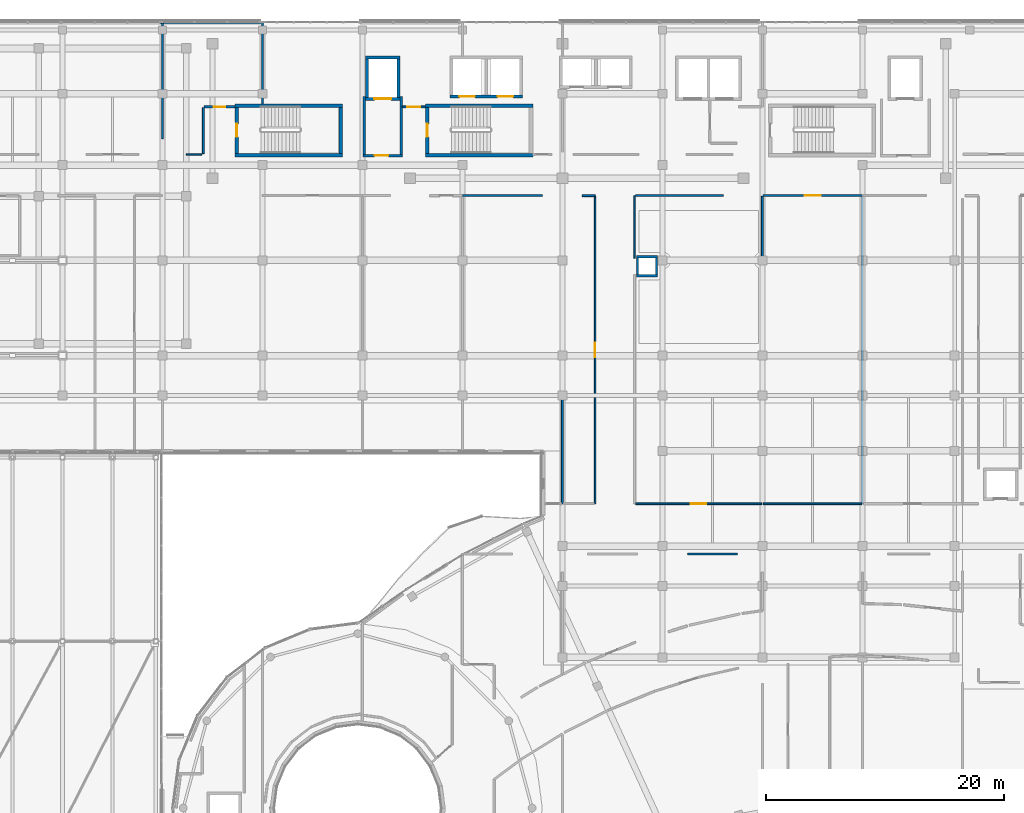
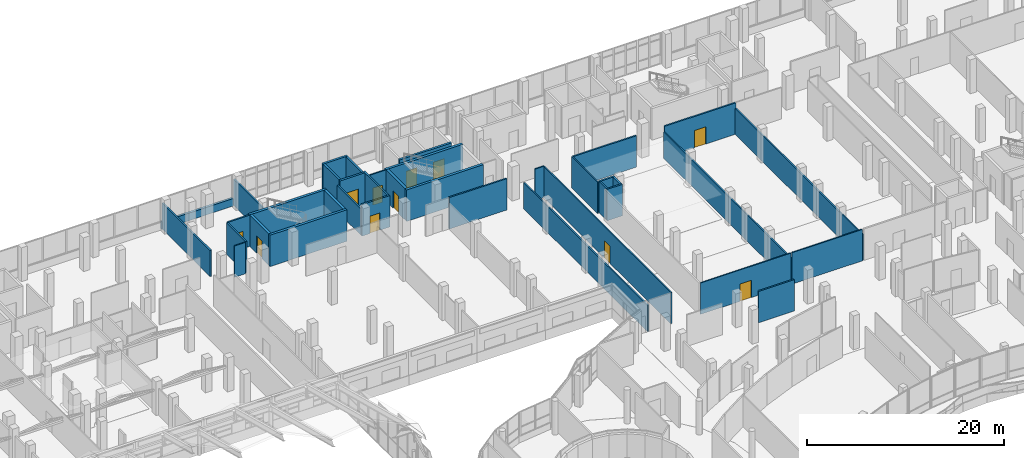
# One storey, part 168 of 184: 38 walls, 11 doors, 11 openings.
"""IFC4 building model written with IfcOpenShell, lengths in metres."""

from ifc_helpers import new_model, si_unit, direction, frame, frame_2d, origin, place, context, subcontext, project, spatial, rectangle, extrude, material, layer, layer_set, type_object, element, fill, save


model = new_model("IFC4")

# Units and contexts
model_context = context("Model", 3, precision=1e-05, world=origin(), true_north=direction((0.0, 1.0)))
body_context = subcontext(model_context, "Body", "Model", "MODEL_VIEW")
ifc_project = project(units=[si_unit("LENGTHUNIT", "METRE"), si_unit("AREAUNIT", "SQUARE_METRE"), si_unit("VOLUMEUNIT", "CUBIC_METRE"), si_unit("PLANEANGLEUNIT", "RADIAN"), si_unit("MASSUNIT", "GRAM", prefix="KILO")], contexts=[model_context])

# Site, building, storey
site_placement = place(None, origin())
site = spatial("IfcSite", under=ifc_project, at=site_placement, CompositionType="ELEMENT")
building_placement = place(site_placement, origin())
building = spatial("IfcBuilding", under=site, at=building_placement, Name="Selatvlak General Hospital", CompositionType="ELEMENT")
storey_placement = place(building_placement, frame((0.0, 0.0, 15.0)))
storey = spatial("IfcBuildingStorey", under=building, at=storey_placement, Name="L03", CompositionType="ELEMENT", Elevation=15.0)

# Wall
ifc_material_1 = material(Name="Precast concrete C40/50 - white Bauhaus spandrel", Category="concrete")
ifc_layer_1 = layer(ifc_material_1, 0.280029296875, Name="Precast concrete C40/50 - white Bauhaus spandrel", Category="concrete")
ifc_layer_set_1 = layer_set([ifc_layer_1], Name="Precast concrete C40/50 - white Bauhaus spandrel")
wall_type_1 = type_object("IfcWallType", Name="WALL-EW-02", PredefinedType="SOLIDWALL", material=ifc_layer_set_1)
wall_1_placement = place(storey_placement, frame((81.44189453125, 119.9990234375, 0.0), z_axis=(0.0, 0.0, 1.0), x_axis=(1.0, 0.0, 0.0)))
element("IfcWall", 1, at=wall_1_placement, inside=storey, type_object=wall_type_1, Name="L03 Bauhaus spandrel sill wall 0369", PredefinedType="SOLIDWALL", context=body_context, shape_type="SweptSolid", body=[
    extrude(rectangle(XDim=8.376220703125, YDim=0.280029296875, at=frame_2d((4.18798828125, 0.0))), origin(), (0.0, 0.0, 1.0), 0.93994140625),
])

# Wall, opening, door
ifc_material_2 = material(Name="Concrete C40/50", Category="concrete")
ifc_layer_2 = layer(ifc_material_2, 0.199951171875, Name="Concrete C40/50", Category="concrete")
ifc_layer_set_2 = layer_set([ifc_layer_2], Name="Concrete C40/50")
wall_type_2 = type_object("IfcWallType", Name="WALL-IW-02", PredefinedType="SOLIDWALL", material=ifc_layer_set_2)
wall_2_placement = place(storey_placement, frame((98.449951171875, 108.800048828125, 0.0), z_axis=(0.0, 0.0, 1.0), x_axis=(1.0, 0.0, 0.0)))
wall_2 = element("IfcWall", 2, at=wall_2_placement, inside=storey, type_object=wall_type_2, Name="Firefighting lobby C2 wall L03 S", PredefinedType="SOLIDWALL", context=body_context, shape_type="SweptSolid", body=[
    extrude(rectangle(XDim=3.300048828125, YDim=0.199951171875, at=frame_2d((1.64990234375, 0.0))), origin(), (0.0, 0.0, 1.0), 3.89501953125),
])
opening_1_placement = place(wall_2_placement, frame((0.97509765625, 0.0, 0.0)))
opening_1 = element("IfcOpeningElement", 3, at=opening_1_placement, cuts=wall_2, Name="Opening D-06", PredefinedType="OPENING", context=body_context, shape_type="SweptSolid", body=[
    extrude(rectangle(XDim=1.14990234375, YDim=2.14990234375, at=frame_2d((0.574951171875, 1.074951171875))), frame((0.0, 0.10986328125, 0.0), z_axis=(0.0, -1.0, 0.0), x_axis=(1.0, 0.0, 0.0)), (0.0, 0.0, 1.0), 0.219970703125),
])
ifc_material_3 = material(Name="Firefighting lobby fire door")
door_type_1 = type_object("IfcDoorType", Name="DOOR-D-06", OperationType="NOTDEFINED", PredefinedType="DOOR", material=ifc_material_3)
door_1_placement = place(opening_1_placement, origin())
door_1 = element("IfcDoor", 4, at=door_1_placement, inside=storey, type_object=door_type_1, Name="Firefighting lobby C2 door on L03", OperationType="SINGLE_SWING_LEFT", OverallHeight=2.14990234375, OverallWidth=1.14990234375, PredefinedType="DOOR", context=body_context, shape_type="SweptSolid", body=[
    extrude(rectangle(XDim=1.14990234375, YDim=2.14990234375, at=frame_2d((0.574951171875, 1.074951171875))), frame((0.0, 0.02490234375, 0.0), z_axis=(0.0, -1.0, 0.0), x_axis=(1.0, 0.0, 0.0)), (0.0, 0.0, 1.0), 0.050048828125),
])
fill(opening_1, door_1)

# Walls
wall_3_placement = place(storey_placement, frame((101.64990234375, 108.89990234375, 0.0), z_axis=(0.0, 0.0, 1.0), x_axis=(0.0, 1.0, 0.0)))
element("IfcWall", 5, at=wall_3_placement, inside=storey, type_object=wall_type_2, Name="Firefighting lobby C2 wall L03 E", PredefinedType="SOLIDWALL", context=body_context, shape_type="SweptSolid", body=[
    extrude(rectangle(XDim=4.85009765625, YDim=0.199951171875, at=frame_2d((2.425048828125, 0.0))), origin(), (0.0, 0.0, 1.0), 3.89501953125),
])
wall_4_placement = place(storey_placement, frame((98.550048828125, 113.75, 0.0), z_axis=(0.0, 0.0, 1.0), x_axis=(0.0, -1.0, 0.0)))
element("IfcWall", 6, at=wall_4_placement, inside=storey, type_object=wall_type_2, Name="Firefighting lobby C2 wall L03 W", PredefinedType="SOLIDWALL", context=body_context, shape_type="SweptSolid", body=[
    extrude(rectangle(XDim=4.85009765625, YDim=0.199951171875, at=frame_2d((2.425048828125, 0.0))), origin(), (0.0, 0.0, 1.0), 3.2451171875),
])
wall_5_placement = place(storey_placement, frame((121.39990234375, 98.699951171875, 0.0), z_axis=(0.0, 0.0, 1.0), x_axis=(1.0, 0.0, 0.0)))
element("IfcWall", 7, at=wall_5_placement, inside=storey, type_object=wall_type_2, Name="Service riser 2 shaft wall L03 S", PredefinedType="SOLIDWALL", context=body_context, shape_type="SweptSolid", body=[
    extrude(rectangle(XDim=1.800048828125, YDim=0.199951171875, at=frame_2d((0.89990234375, 0.0))), origin(), (0.0, 0.0, 1.0), 3.89501953125),
])
wall_6_placement = place(storey_placement, frame((123.10009765625, 98.800048828125, 0.0), z_axis=(0.0, 0.0, 1.0), x_axis=(0.0, 1.0, 0.0)))
element("IfcWall", 8, at=wall_6_placement, inside=storey, type_object=wall_type_2, Name="Service riser 2 shaft wall L03 E", PredefinedType="SOLIDWALL", context=body_context, shape_type="SweptSolid", body=[
    extrude(rectangle(XDim=1.39990234375, YDim=0.199951171875, at=frame_2d((0.699951171875, 0.0))), origin(), (0.0, 0.0, 1.0), 3.89501953125),
])
wall_7_placement = place(storey_placement, frame((123.199951171875, 100.300048828125, 0.0), z_axis=(0.0, 0.0, 1.0), x_axis=(-1.0, 0.0, 0.0)))
element("IfcWall", 9, at=wall_7_placement, inside=storey, type_object=wall_type_2, Name="Service riser 2 shaft wall L03 N", PredefinedType="SOLIDWALL", context=body_context, shape_type="SweptSolid", body=[
    extrude(rectangle(XDim=1.800048828125, YDim=0.199951171875, at=frame_2d((0.89990234375, 0.0))), origin(), (0.0, 0.0, 1.0), 3.89501953125),
])
wall_8_placement = place(storey_placement, frame((121.5, 100.199951171875, 0.0), z_axis=(0.0, 0.0, 1.0), x_axis=(0.0, -1.0, 0.0)))
element("IfcWall", 10, at=wall_8_placement, inside=storey, type_object=wall_type_2, Name="Service riser 2 shaft wall L03 W", PredefinedType="SOLIDWALL", context=body_context, shape_type="SweptSolid", body=[
    extrude(rectangle(XDim=1.39990234375, YDim=0.199951171875, at=frame_2d((0.699951171875, 0.0))), origin(), (0.0, 0.0, 1.0), 3.89501953125),
])
ifc_material_4 = material(Name="Acoustic gypsum stud partition")
ifc_layer_3 = layer(ifc_material_4, 0.179931640625, Name="Acoustic gypsum stud partition")
ifc_layer_set_3 = layer_set([ifc_layer_3], Name="Acoustic gypsum stud partition")
wall_type_3 = type_object("IfcWallType", Name="WALL-PT-01", PredefinedType="PARTITIONING", material=ifc_layer_set_3)
wall_9_placement = place(storey_placement, frame((125.7080078125, 75.340087890625, 0.0), z_axis=(0.0, 0.0, 1.0), x_axis=(1.0, 0.0, 0.0)))
element("IfcWall", 11, at=wall_9_placement, inside=storey, type_object=wall_type_3, Name="L03 clinical partition PT-L03-1497", PredefinedType="PARTITIONING", context=body_context, shape_type="SweptSolid", body=[
    extrude(rectangle(XDim=4.18408203125, YDim=0.179931640625, at=frame_2d((2.092041015625, 0.0))), origin(), (0.0, 0.0, 1.0), 3.89501953125),
])
wall_10_placement = place(storey_placement, frame((106.800048828125, 105.43994140625, 0.0), z_axis=(0.0, 0.0, 1.0), x_axis=(1.0, 0.0, 0.0)))
element("IfcWall", 12, at=wall_10_placement, inside=storey, type_object=wall_type_3, Name="L03 clinical partition PT-L03-1578", PredefinedType="PARTITIONING", context=body_context, shape_type="SweptSolid", body=[
    extrude(rectangle(XDim=6.743896484375, YDim=0.179931640625, at=frame_2d((3.3720703125, 0.0))), origin(), (0.0, 0.0, 1.0), 3.89501953125),
])
wall_11_placement = place(storey_placement, frame((121.323974609375, 105.43994140625, 0.0), z_axis=(0.0, 0.0, 1.0), x_axis=(1.0, 0.0, 0.0)))
element("IfcWall", 13, at=wall_11_placement, inside=storey, type_object=wall_type_3, Name="L03 clinical partition PT-L03-1587", PredefinedType="PARTITIONING", context=body_context, shape_type="SweptSolid", body=[
    extrude(rectangle(XDim=7.419921875, YDim=0.179931640625, at=frame_2d((3.7099609375, 0.0))), origin(), (0.0, 0.0, 1.0), 3.89501953125),
])

# Wall, opening, door
wall_12_placement = place(storey_placement, frame((132.055908203125, 105.43994140625, 0.0), z_axis=(0.0, 0.0, 1.0), x_axis=(1.0, 0.0, 0.0)))
wall_12 = element("IfcWall", 14, at=wall_12_placement, inside=storey, type_object=wall_type_3, Name="L03 clinical partition PT-L03-1590", PredefinedType="PARTITIONING", context=body_context, shape_type="SweptSolid", body=[
    extrude(rectangle(XDim=8.343994140625, YDim=0.179931640625, at=frame_2d((4.171875, 0.0))), origin(), (0.0, 0.0, 1.0), 3.89501953125),
])
opening_2_placement = place(wall_12_placement, frame((3.4970703125, 0.0, 0.0)))
opening_2 = element("IfcOpeningElement", 15, at=opening_2_placement, cuts=wall_12, Name="Opening D-10", PredefinedType="OPENING", context=body_context, shape_type="SweptSolid", body=[
    extrude(rectangle(XDim=1.35009765625, YDim=2.14990234375, at=frame_2d((0.675048828125, 1.074951171875))), frame((0.0, 0.099853515625, 0.0), z_axis=(0.0, -1.0, 0.0), x_axis=(1.0, 0.0, 0.0)), (0.0, 0.0, 1.0), 0.199951171875),
])
ifc_material_5 = material(Name="Single patient bed door")
door_type_2 = type_object("IfcDoorType", Name="DOOR-D-10", OperationType="NOTDEFINED", PredefinedType="DOOR", material=ifc_material_5)
door_2_placement = place(opening_2_placement, origin())
door_2 = element("IfcDoor", 16, at=door_2_placement, inside=storey, type_object=door_type_2, Name="L03 Outpatient Specialist Waiting Concourse 43 door", OperationType="SINGLE_SWING_LEFT", OverallHeight=2.14990234375, OverallWidth=1.35009765625, PredefinedType="DOOR", context=body_context, shape_type="SweptSolid", body=[
    extrude(rectangle(XDim=1.35009765625, YDim=2.14990234375, at=frame_2d((0.675048828125, 1.074951171875))), frame((0.0, 0.02490234375, 0.0), z_axis=(0.0, -1.0, 0.0), x_axis=(1.0, 0.0, 0.0)), (0.0, 0.0, 1.0), 0.050048828125),
])
fill(opening_2, door_2)

# Wall
wall_13_placement = place(storey_placement, frame((81.60009765625, 119.95703125, 0.0), z_axis=(0.0, 0.0, 1.0), x_axis=(0.0, -1.0, 0.0)))
element("IfcWall", 17, at=wall_13_placement, inside=storey, type_object=wall_type_3, Name="L03 clinical partition PT-L03-1625", PredefinedType="PARTITIONING", context=body_context, shape_type="SweptSolid", body=[
    extrude(rectangle(XDim=9.7470703125, YDim=0.179931640625, at=frame_2d((4.87353515625, 0.0))), origin(), (0.0, 0.0, 1.0), 3.2451171875),
])

# Wall, opening, door
wall_14_placement = place(storey_placement, frame((87.68994140625, 112.89990234375, 0.0), z_axis=(0.0, 0.0, 1.0), x_axis=(-1.0, 0.0, 0.0)))
wall_14 = element("IfcWall", 18, at=wall_14_placement, inside=storey, type_object=wall_type_3, Name="L03 clinical partition PT-L03-1626", PredefinedType="PARTITIONING", context=body_context, shape_type="SweptSolid", body=[
    extrude(rectangle(XDim=2.58984375, YDim=0.179931640625, at=frame_2d((1.294921875, 0.0))), origin(), (0.0, 0.0, 1.0), 3.89501953125),
])
opening_3_placement = place(wall_14_placement, frame((0.794921875, 0.0, 0.0)))
opening_3 = element("IfcOpeningElement", 19, at=opening_3_placement, cuts=wall_14, Name="Opening D-21", PredefinedType="OPENING", context=body_context, shape_type="SweptSolid", body=[
    extrude(rectangle(XDim=1.0, YDim=2.14990234375, at=frame_2d((0.5, 1.074951171875))), frame((0.0, 0.099853515625, 0.0), z_axis=(0.0, -1.0, 0.0), x_axis=(1.0, 0.0, 0.0)), (0.0, 0.0, 1.0), 0.199951171875),
])
ifc_material_6 = material(Name="Laboratory fire door")
door_type_3 = type_object("IfcDoorType", Name="DOOR-D-21", OperationType="NOTDEFINED", PredefinedType="DOOR", material=ifc_material_6)
door_3_placement = place(opening_3_placement, origin())
door_3 = element("IfcDoor", 20, at=door_3_placement, inside=storey, type_object=door_type_3, Name="L03 Medical Vacuum Plant Room 56 door", OperationType="SINGLE_SWING_RIGHT", OverallHeight=2.14990234375, OverallWidth=1.0, PredefinedType="DOOR", context=body_context, shape_type="SweptSolid", body=[
    extrude(rectangle(XDim=1.0, YDim=2.14990234375, at=frame_2d((0.5, 1.074951171875))), frame((0.0, 0.02490234375, 0.0), z_axis=(0.0, -1.0, 0.0), x_axis=(1.0, 0.0, 0.0)), (0.0, 0.0, 1.0), 0.050048828125),
])
fill(opening_3, door_3)

# Walls
wall_15_placement = place(storey_placement, frame((90.0, 119.988037109375, 0.0), z_axis=(0.0, 0.0, 1.0), x_axis=(0.0, -1.0, 0.0)))
element("IfcWall", 21, at=wall_15_placement, inside=storey, type_object=wall_type_3, Name="L03 clinical partition PT-L03-1629", PredefinedType="PARTITIONING", context=body_context, shape_type="SweptSolid", body=[
    extrude(rectangle(XDim=6.841064453125, YDim=0.179931640625, at=frame_2d((3.42041015625, 0.0))), origin(), (0.0, 0.0, 1.0), 3.2451171875),
])
ifc_layer_4 = layer(ifc_material_4, 0.1650390625, Name="Acoustic gypsum stud partition")
ifc_layer_set_4 = layer_set([ifc_layer_4], Name="Acoustic gypsum stud partition")
wall_type_4 = type_object("IfcWallType", Name="WALL-PT-02", PredefinedType="PARTITIONING", material=ifc_layer_set_4)
wall_16_placement = place(storey_placement, frame((115.199951171875, 104.68994140625, 0.0), z_axis=(0.0, 0.0, 1.0), x_axis=(0.0, -1.0, 0.0)))
element("IfcWall", 22, at=wall_16_placement, inside=storey, type_object=wall_type_4, Name="L03 clinical partition PT-L03-1579", PredefinedType="PARTITIONING", context=body_context, shape_type="SweptSolid", body=[
    extrude(rectangle(XDim=25.1298828125, YDim=0.1650390625, at=frame_2d((12.56494140625, 0.0))), origin(), (0.0, 0.0, 1.0), 3.2451171875),
])
wall_17_placement = place(storey_placement, frame((132.0, 105.3779296875, 0.0), z_axis=(0.0, 0.0, 1.0), x_axis=(0.0, -1.0, 0.0)))
element("IfcWall", 23, at=wall_17_placement, inside=storey, type_object=wall_type_4, Name="L03 clinical partition PT-L03-1588", PredefinedType="PARTITIONING", context=body_context, shape_type="SweptSolid", body=[
    extrude(rectangle(XDim=25.81787109375, YDim=0.1650390625, at=frame_2d((12.908935546875, 0.0))), origin(), (0.0, 0.0, 1.0), 3.2451171875),
])
wall_18_placement = place(storey_placement, frame((140.39990234375, 105.35400390625, 0.0), z_axis=(0.0, 0.0, 1.0), x_axis=(0.0, -1.0, 0.0)))
element("IfcWall", 24, at=wall_18_placement, inside=storey, type_object=wall_type_4, Name="L03 clinical partition PT-L03-1591", PredefinedType="PARTITIONING", context=body_context, shape_type="SweptSolid", body=[
    extrude(rectangle(XDim=25.7939453125, YDim=0.1650390625, at=frame_2d((12.89697265625, 0.0))), origin(), (0.0, 0.0, 1.0), 3.2451171875),
])
wall_19_placement = place(storey_placement, frame((85.0400390625, 112.840087890625, 0.0), z_axis=(0.0, 0.0, 1.0), x_axis=(0.0, -1.0, 0.0)))
element("IfcWall", 25, at=wall_19_placement, inside=storey, type_object=wall_type_4, Name="L03 clinical partition PT-L03-1627", PredefinedType="PARTITIONING", context=body_context, shape_type="SweptSolid", body=[
    extrude(rectangle(XDim=3.8671875, YDim=0.1650390625, at=frame_2d((1.93359375, 0.0))), origin(), (0.0, 0.0, 1.0), 3.89501953125),
])

# Wall, opening, door
wall_20_placement = place(storey_placement, frame((103.68994140625, 112.89990234375, 0.0), z_axis=(0.0, 0.0, 1.0), x_axis=(-1.0, 0.0, 0.0)))
wall_20 = element("IfcWall", 26, at=wall_20_placement, inside=storey, type_object=wall_type_4, Name="L03 clinical partition PT-L03-1631", PredefinedType="PARTITIONING", context=body_context, shape_type="SweptSolid", body=[
    extrude(rectangle(XDim=1.94287109375, YDim=0.1650390625, at=frame_2d((0.971435546875, 0.0))), origin(), (0.0, 0.0, 1.0), 3.89501953125),
])
opening_4_placement = place(wall_20_placement, frame((0.4208984375, 0.0, 0.0)))
opening_4 = element("IfcOpeningElement", 27, at=opening_4_placement, cuts=wall_20, Name="Opening D-22", PredefinedType="OPENING", context=body_context, shape_type="SweptSolid", body=[
    extrude(rectangle(XDim=1.10009765625, YDim=2.14990234375, at=frame_2d((0.550048828125, 1.074951171875))), frame((0.0, 0.092529296875, 0.0), z_axis=(0.0, -1.0, 0.0), x_axis=(1.0, 0.0, 0.0)), (0.0, 0.0, 1.0), 0.18505859375),
])
ifc_material_7 = material(Name="Pharmacy security fire door")
door_type_4 = type_object("IfcDoorType", Name="DOOR-D-22", OperationType="NOTDEFINED", PredefinedType="DOOR", material=ifc_material_7)
door_4_placement = place(opening_4_placement, origin())
door_4 = element("IfcDoor", 28, at=door_4_placement, inside=storey, type_object=door_type_4, Name="L03 Microbiology Serology Laboratory 58 door", OperationType="SINGLE_SWING_LEFT", OverallHeight=2.14990234375, OverallWidth=1.10009765625, PredefinedType="DOOR", context=body_context, shape_type="SweptSolid", body=[
    extrude(rectangle(XDim=1.10009765625, YDim=2.14990234375, at=frame_2d((0.550048828125, 1.074951171875))), frame((0.0, 0.02490234375, 0.0), z_axis=(0.0, -1.0, 0.0), x_axis=(1.0, 0.0, 0.0)), (0.0, 0.0, 1.0), 0.050048828125),
])
fill(opening_4, door_4)

# Walls
ifc_layer_5 = layer(ifc_material_4, 0.14990234375, Name="Acoustic gypsum stud partition")
ifc_layer_set_5 = layer_set([ifc_layer_5], Name="Acoustic gypsum stud partition")
wall_type_5 = type_object("IfcWallType", Name="WALL-PT-03", PredefinedType="PARTITIONING", material=ifc_layer_set_5)
wall_21_placement = place(storey_placement, frame((116.85595703125, 105.43994140625, 0.0), z_axis=(0.0, 0.0, 1.0), x_axis=(1.0, 0.0, 0.0)))
element("IfcWall", 29, at=wall_21_placement, inside=storey, type_object=wall_type_5, Name="L03 clinical partition PT-L03-1582", PredefinedType="PARTITIONING", context=body_context, shape_type="SweptSolid", body=[
    extrude(rectangle(XDim=1.083984375, YDim=0.14990234375, at=frame_2d((0.5419921875, 0.0))), origin(), (0.0, 0.0, 1.0), 3.89501953125),
])
wall_22_placement = place(storey_placement, frame((140.322021484375, 79.56005859375, 0.0), z_axis=(0.0, 0.0, 1.0), x_axis=(-1.0, 0.0, 0.0)))
element("IfcWall", 30, at=wall_22_placement, inside=storey, type_object=wall_type_5, Name="L03 clinical partition PT-L03-1592", PredefinedType="PARTITIONING", context=body_context, shape_type="SweptSolid", body=[
    extrude(rectangle(XDim=8.244140625, YDim=0.14990234375, at=frame_2d((4.1220703125, 0.0))), origin(), (0.0, 0.0, 1.0), 3.89501953125),
])

# Wall, opening, door
ifc_material_8 = material(Name="Moisture-resistant clinical partition")
ifc_layer_6 = layer(ifc_material_8, 0.135009765625, Name="Moisture-resistant clinical partition")
ifc_layer_set_6 = layer_set([ifc_layer_6], Name="Moisture-resistant clinical partition")
wall_type_6 = type_object("IfcWallType", Name="WALL-PT-04", PredefinedType="PARTITIONING", material=ifc_layer_set_6)
wall_23_placement = place(storey_placement, frame((117.93994140625, 105.368896484375, 0.0), z_axis=(0.0, 0.0, 1.0), x_axis=(0.0, -1.0, 0.0)))
wall_23 = element("IfcWall", 31, at=wall_23_placement, inside=storey, type_object=wall_type_6, Name="L03 clinical partition PT-L03-1583", PredefinedType="PARTITIONING", context=body_context, shape_type="SweptSolid", body=[
    extrude(rectangle(XDim=25.808837890625, YDim=0.135009765625, at=frame_2d((12.904296875, 0.0))), origin(), (0.0, 0.0, 1.0), 3.89501953125),
])
opening_5_placement = place(wall_23_placement, frame((12.303955078125, 0.0, 0.0)))
opening_5 = element("IfcOpeningElement", 32, at=opening_5_placement, cuts=wall_23, Name="Opening D-07", PredefinedType="OPENING", context=body_context, shape_type="SweptSolid", body=[
    extrude(rectangle(XDim=1.199951171875, YDim=2.14990234375, at=frame_2d((0.60009765625, 1.074951171875))), frame((0.0, 0.077392578125, 0.0), z_axis=(0.0, -1.0, 0.0), x_axis=(1.0, 0.0, 0.0)), (0.0, 0.0, 1.0), 0.155029296875),
])
ifc_material_9 = material(Name="Plant and store fire door")
door_type_5 = type_object("IfcDoorType", Name="DOOR-D-07", OperationType="NOTDEFINED", PredefinedType="DOOR", material=ifc_material_9)
door_5_placement = place(opening_5_placement, origin())
door_5 = element("IfcDoor", 33, at=door_5_placement, inside=storey, type_object=door_type_5, Name="L03 Histopathology Laboratory 41 door", OperationType="SINGLE_SWING_LEFT", OverallHeight=2.14990234375, OverallWidth=1.199951171875, PredefinedType="DOOR", context=body_context, shape_type="SweptSolid", body=[
    extrude(rectangle(XDim=1.199951171875, YDim=2.14990234375, at=frame_2d((0.60009765625, 1.074951171875))), frame((0.0, 0.02490234375, 0.0), z_axis=(0.0, -1.0, 0.0), x_axis=(1.0, 0.0, 0.0)), (0.0, 0.0, 1.0), 0.050048828125),
])
fill(opening_5, door_5)

# Wall
wall_24_placement = place(storey_placement, frame((121.260009765625, 100.199951171875, 0.0), z_axis=(0.0, 0.0, 1.0), x_axis=(0.0, 1.0, 0.0)))
element("IfcWall", 34, at=wall_24_placement, inside=storey, type_object=wall_type_6, Name="L03 clinical partition PT-L03-1586", PredefinedType="PARTITIONING", context=body_context, shape_type="SweptSolid", body=[
    extrude(rectangle(XDim=5.239990234375, YDim=0.135009765625, at=frame_2d((2.6201171875, 0.0))), origin(), (0.0, 0.0, 1.0), 3.89501953125),
])

# Wall, opening, door
wall_25_placement = place(storey_placement, frame((131.922119140625, 79.56005859375, 0.0), z_axis=(0.0, 0.0, 1.0), x_axis=(-1.0, 0.0, 0.0)))
wall_25 = element("IfcWall", 35, at=wall_25_placement, inside=storey, type_object=wall_type_6, Name="L03 clinical partition PT-L03-1589", PredefinedType="PARTITIONING", context=body_context, shape_type="SweptSolid", body=[
    extrude(rectangle(XDim=10.5830078125, YDim=0.135009765625, at=frame_2d((5.29150390625, 0.0))), origin(), (0.0, 0.0, 1.0), 3.89501953125),
])
opening_6_placement = place(wall_25_placement, frame((4.64111328125, 0.0, 0.0)))
opening_6 = element("IfcOpeningElement", 36, at=opening_6_placement, cuts=wall_25, Name="Opening D-09", PredefinedType="OPENING", context=body_context, shape_type="SweptSolid", body=[
    extrude(rectangle(XDim=1.300048828125, YDim=2.14990234375, at=frame_2d((0.64990234375, 1.074951171875))), frame((0.0, 0.077392578125, 0.0), z_axis=(0.0, -1.0, 0.0), x_axis=(1.0, 0.0, 0.0)), (0.0, 0.0, 1.0), 0.155029296875),
])
ifc_material_10 = material(Name="Outpatient procedure door")
door_type_6 = type_object("IfcDoorType", Name="DOOR-D-09", OperationType="NOTDEFINED", PredefinedType="DOOR", material=ifc_material_10)
door_6_placement = place(opening_6_placement, origin())
door_6 = element("IfcDoor", 37, at=door_6_placement, inside=storey, type_object=door_type_6, Name="L03 Medical Vacuum Plant Room 42 door", OperationType="SINGLE_SWING_RIGHT", OverallHeight=2.14990234375, OverallWidth=1.300048828125, PredefinedType="DOOR", context=body_context, shape_type="SweptSolid", body=[
    extrude(rectangle(XDim=1.300048828125, YDim=2.14990234375, at=frame_2d((0.64990234375, 1.074951171875))), frame((0.0, 0.02490234375, 0.0), z_axis=(0.0, -1.0, 0.0), x_axis=(1.0, 0.0, 0.0)), (0.0, 0.0, 1.0), 0.050048828125),
])
fill(opening_6, door_6)

# Walls
wall_26_placement = place(storey_placement, frame((84.886962890625, 108.909912109375, 0.0), z_axis=(0.0, 0.0, 1.0), x_axis=(-1.0, 0.0, 0.0)))
element("IfcWall", 38, at=wall_26_placement, inside=storey, type_object=wall_type_6, Name="L03 clinical partition PT-L03-1628", PredefinedType="PARTITIONING", context=body_context, shape_type="SweptSolid", body=[
    extrude(rectangle(XDim=1.27587890625, YDim=0.135009765625, at=frame_2d((0.637939453125, 0.0))), origin(), (0.0, 0.0, 1.0), 3.89501953125),
])
ifc_material_11 = material(Name="Concrete C45/55", Category="concrete")
ifc_layer_7 = layer(ifc_material_11, 0.300048828125, Name="Concrete C45/55", Category="concrete")
ifc_layer_set_7 = layer_set([ifc_layer_7], Name="Concrete C45/55")
wall_type_7 = type_object("IfcWallType", Name="WALL-SW-02", PredefinedType="SHEAR", material=ifc_layer_set_7)
wall_27_placement = place(storey_placement, frame((87.68994140625, 108.840087890625, 0.0), z_axis=(0.0, 0.0, 1.0), x_axis=(1.0, 0.0, 0.0)))
element("IfcWall", 39, at=wall_27_placement, inside=storey, type_object=wall_type_7, Name="ST-02 core shear wall L03 S", PredefinedType="SHEAR", context=body_context, shape_type="SweptSolid", body=[
    extrude(rectangle(XDim=9.02001953125, YDim=0.300048828125, at=frame_2d((4.510009765625, 0.0))), origin(), (0.0, 0.0, 1.0), 3.89501953125),
])
wall_28_placement = place(storey_placement, frame((96.56005859375, 108.989990234375, 0.0), z_axis=(0.0, 0.0, 1.0), x_axis=(0.0, 1.0, 0.0)))
element("IfcWall", 40, at=wall_28_placement, inside=storey, type_object=wall_type_7, Name="ST-02 core shear wall L03 E", PredefinedType="SHEAR", context=body_context, shape_type="SweptSolid", body=[
    extrude(rectangle(XDim=3.860107421875, YDim=0.300048828125, at=frame_2d((1.93017578125, 0.0))), origin(), (0.0, 0.0, 1.0), 3.89501953125),
])
wall_29_placement = place(storey_placement, frame((96.7099609375, 113.0, 0.0), z_axis=(0.0, 0.0, 1.0), x_axis=(-1.0, 0.0, 0.0)))
element("IfcWall", 41, at=wall_29_placement, inside=storey, type_object=wall_type_7, Name="ST-02 core shear wall L03 N", PredefinedType="SHEAR", context=body_context, shape_type="SweptSolid", body=[
    extrude(rectangle(XDim=9.02001953125, YDim=0.300048828125, at=frame_2d((4.510009765625, 0.0))), origin(), (0.0, 0.0, 1.0), 3.89501953125),
])

# Wall, opening, door
wall_30_placement = place(storey_placement, frame((87.840087890625, 112.85009765625, 0.0), z_axis=(0.0, 0.0, 1.0), x_axis=(0.0, -1.0, 0.0)))
wall_30 = element("IfcWall", 42, at=wall_30_placement, inside=storey, type_object=wall_type_7, Name="ST-02 core shear wall L03 W", PredefinedType="SHEAR", context=body_context, shape_type="SweptSolid", body=[
    extrude(rectangle(XDim=3.860107421875, YDim=0.300048828125, at=frame_2d((1.93017578125, 0.0))), origin(), (0.0, 0.0, 1.0), 3.89501953125),
])
opening_7_placement = place(wall_30_placement, frame((1.3798828125, 0.0, 0.0)))
opening_7 = element("IfcOpeningElement", 43, at=opening_7_placement, cuts=wall_30, Name="Opening D-05", PredefinedType="OPENING", context=body_context, shape_type="SweptSolid", body=[
    extrude(rectangle(XDim=1.10009765625, YDim=2.14990234375, at=frame_2d((0.550048828125, 1.074951171875))), frame((0.0, 0.159912109375, 0.0), z_axis=(0.0, -1.0, 0.0), x_axis=(1.0, 0.0, 0.0)), (0.0, 0.0, 1.0), 0.320068359375),
])
ifc_material_12 = material(Name="Protected stair fire door")
door_type_7 = type_object("IfcDoorType", Name="DOOR-D-05", OperationType="NOTDEFINED", PredefinedType="DOOR", material=ifc_material_12)
door_7_placement = place(opening_7_placement, origin())
door_7 = element("IfcDoor", 44, at=door_7_placement, inside=storey, type_object=door_type_7, Name="ST-02 protected stair door on L03", OperationType="SINGLE_SWING_RIGHT", OverallHeight=2.14990234375, OverallWidth=1.10009765625, PredefinedType="DOOR", context=body_context, shape_type="SweptSolid", body=[
    extrude(rectangle(XDim=1.10009765625, YDim=2.14990234375, at=frame_2d((0.550048828125, 1.074951171875))), frame((0.0, 0.02490234375, 0.0), z_axis=(0.0, -1.0, 0.0), x_axis=(1.0, 0.0, 0.0)), (0.0, 0.0, 1.0), 0.050048828125),
])
fill(opening_7, door_7)

# Walls
for number, where, z_axis, x_axis, name in (
    (45, (103.68994140625, 108.840087890625, 0.0), (0.0, 0.0, 1.0), (1.0, 0.0, 0.0), "ST-03 core shear wall L03 S"),
    (46, (112.7099609375, 113.0, 0.0), (0.0, 0.0, 1.0), (-1.0, 0.0, 0.0), "ST-03 core shear wall L03 N"),
):
    element("IfcWall", number, at=place(storey_placement, frame(where, z_axis=z_axis, x_axis=x_axis)), inside=storey, type_object=wall_type_7, Name=name, PredefinedType="SHEAR", context=body_context, shape_type="SweptSolid", body=[
        extrude(rectangle(XDim=9.02001953125, YDim=0.300048828125, at=frame_2d((4.510009765625, 0.0))), origin(), (0.0, 0.0, 1.0), 3.89501953125),
    ])

# Wall, opening, door
wall_31_placement = place(storey_placement, frame((103.840087890625, 112.85009765625, 0.0), z_axis=(0.0, 0.0, 1.0), x_axis=(0.0, -1.0, 0.0)))
wall_31 = element("IfcWall", 47, at=wall_31_placement, inside=storey, type_object=wall_type_7, Name="ST-03 core shear wall L03 W", PredefinedType="SHEAR", context=body_context, shape_type="SweptSolid", body=[
    extrude(rectangle(XDim=3.860107421875, YDim=0.300048828125, at=frame_2d((1.93017578125, 0.0))), origin(), (0.0, 0.0, 1.0), 3.89501953125),
])
opening_8_placement = place(wall_31_placement, frame((1.3798828125, 0.0, 0.0)))
opening_8 = element("IfcOpeningElement", 48, at=opening_8_placement, cuts=wall_31, Name="Opening D-05", PredefinedType="OPENING", context=body_context, shape_type="SweptSolid", body=[
    extrude(rectangle(XDim=1.10009765625, YDim=2.14990234375, at=frame_2d((0.550048828125, 1.074951171875))), frame((0.0, 0.159912109375, 0.0), z_axis=(0.0, -1.0, 0.0), x_axis=(1.0, 0.0, 0.0)), (0.0, 0.0, 1.0), 0.320068359375),
])
door_8_placement = place(opening_8_placement, origin())
door_8 = element("IfcDoor", 49, at=door_8_placement, inside=storey, type_object=door_type_7, Name="ST-03 protected stair door on L03", OperationType="SINGLE_SWING_LEFT", OverallHeight=2.14990234375, OverallWidth=1.10009765625, PredefinedType="DOOR", context=body_context, shape_type="SweptSolid", body=[
    extrude(rectangle(XDim=1.10009765625, YDim=2.14990234375, at=frame_2d((0.550048828125, 1.074951171875))), frame((0.0, 0.02490234375, 0.0), z_axis=(0.0, -1.0, 0.0), x_axis=(1.0, 0.0, 0.0)), (0.0, 0.0, 1.0), 0.050048828125),
])
fill(opening_8, door_8)

ifc_layer_8 = layer(ifc_material_2, 0.25, Name="Concrete C40/50", Category="concrete")
ifc_layer_set_8 = layer_set([ifc_layer_8], Name="Concrete C40/50")
wall_type_8 = type_object("IfcWallType", Name="WALL-SW-03", PredefinedType="SHEAR", material=ifc_layer_set_8)
wall_32_placement = place(storey_placement, frame((98.64990234375, 113.574951171875, 0.0), z_axis=(0.0, 0.0, 1.0), x_axis=(1.0, 0.0, 0.0)))
wall_32 = element("IfcWall", 50, at=wall_32_placement, inside=storey, type_object=wall_type_8, Name="Lift LF-02 shaft wall L03 S", PredefinedType="SHEAR", context=body_context, shape_type="SweptSolid", body=[
    extrude(rectangle(XDim=2.900146484375, YDim=0.25, at=frame_2d((1.4501953125, 0.0))), origin(), (0.0, 0.0, 1.0), 3.89501953125),
])
opening_9_placement = place(wall_32_placement, frame((0.75, 0.0, 0.0)))
opening_9 = element("IfcOpeningElement", 51, at=opening_9_placement, cuts=wall_32, Name="Opening LD-F1", PredefinedType="OPENING", context=body_context, shape_type="SweptSolid", body=[
    extrude(rectangle(XDim=1.39990234375, YDim=2.14990234375, at=frame_2d((0.699951171875, 1.074951171875))), frame((0.0, 0.135009765625, 0.0), z_axis=(0.0, -1.0, 0.0), x_axis=(1.0, 0.0, 0.0)), (0.0, 0.0, 1.0), 0.27001953125),
])
ifc_material_13 = material(Name="Stainless steel fire lift landing door", Category="steel")
door_type_8 = type_object("IfcDoorType", Name="DOOR-LD-F1", OperationType="DOUBLE_DOOR_SLIDING", PredefinedType="DOOR", material=ifc_material_13)
door_9_placement = place(opening_9_placement, origin())
door_9 = element("IfcDoor", 52, at=door_9_placement, inside=storey, type_object=door_type_8, Name="Lift LF-02 sliding landing door on L03", OperationType="DOUBLE_DOOR_SLIDING", OverallHeight=2.14990234375, OverallWidth=1.39990234375, PredefinedType="DOOR", context=body_context, shape_type="SweptSolid", body=[
    extrude(rectangle(XDim=1.39990234375, YDim=2.14990234375, at=frame_2d((0.699951171875, 1.074951171875))), frame((0.0, 0.02490234375, 0.0), z_axis=(0.0, -1.0, 0.0), x_axis=(1.0, 0.0, 0.0)), (0.0, 0.0, 1.0), 0.050048828125),
])
fill(opening_9, door_9)

# Walls
wall_33_placement = place(storey_placement, frame((101.425048828125, 113.699951171875, 0.0), z_axis=(0.0, 0.0, 1.0), x_axis=(0.0, 1.0, 0.0)))
element("IfcWall", 53, at=wall_33_placement, inside=storey, type_object=wall_type_8, Name="Lift LF-02 shaft wall L03 E", PredefinedType="SHEAR", context=body_context, shape_type="SweptSolid", body=[
    extrude(rectangle(XDim=3.199951171875, YDim=0.25, at=frame_2d((1.60009765625, 0.0))), origin(), (0.0, 0.0, 1.0), 3.89501953125),
])
wall_34_placement = place(storey_placement, frame((101.550048828125, 117.02490234375, 0.0), z_axis=(0.0, 0.0, 1.0), x_axis=(-1.0, 0.0, 0.0)))
element("IfcWall", 54, at=wall_34_placement, inside=storey, type_object=wall_type_8, Name="Lift LF-02 shaft wall L03 N", PredefinedType="SHEAR", context=body_context, shape_type="SweptSolid", body=[
    extrude(rectangle(XDim=2.900146484375, YDim=0.25, at=frame_2d((1.4501953125, 0.0))), origin(), (0.0, 0.0, 1.0), 3.89501953125),
])
wall_35_placement = place(storey_placement, frame((98.77490234375, 116.89990234375, 0.0), z_axis=(0.0, 0.0, 1.0), x_axis=(0.0, -1.0, 0.0)))
element("IfcWall", 55, at=wall_35_placement, inside=storey, type_object=wall_type_8, Name="Lift LF-02 shaft wall L03 W", PredefinedType="SHEAR", context=body_context, shape_type="SweptSolid", body=[
    extrude(rectangle(XDim=3.199951171875, YDim=0.25, at=frame_2d((1.60009765625, 0.0))), origin(), (0.0, 0.0, 1.0), 3.89501953125),
])

# Wall, openings, doors
wall_36_placement = place(storey_placement, frame((105.75, 113.77490234375, 0.0), z_axis=(0.0, 0.0, 1.0), x_axis=(1.0, 0.0, 0.0)))
wall_36 = element("IfcWall", 56, at=wall_36_placement, inside=storey, type_object=wall_type_8, Name="Lift LS-01-LS-02 shaft wall L03 S", PredefinedType="SHEAR", context=body_context, shape_type="SweptSolid", body=[
    extrude(rectangle(XDim=6.10009765625, YDim=0.25, at=frame_2d((3.050048828125, 0.0))), origin(), (0.0, 0.0, 1.0), 3.89501953125),
])
opening_10_placement = place(wall_36_placement, frame((0.800048828125, 0.0, 0.0)))
opening_10 = element("IfcOpeningElement", 57, at=opening_10_placement, cuts=wall_36, Name="Opening LD-S1", PredefinedType="OPENING", context=body_context, shape_type="SweptSolid", body=[
    extrude(rectangle(XDim=1.300048828125, YDim=2.14990234375, at=frame_2d((0.64990234375, 1.074951171875))), frame((0.0, 0.135009765625, 0.0), z_axis=(0.0, -1.0, 0.0), x_axis=(1.0, 0.0, 0.0)), (0.0, 0.0, 1.0), 0.27001953125),
])
opening_11_placement = place(wall_36_placement, frame((4.0, 0.0, 0.0)))
opening_11 = element("IfcOpeningElement", 58, at=opening_11_placement, cuts=wall_36, Name="Opening LD-S1", PredefinedType="OPENING", context=body_context, shape_type="SweptSolid", body=[
    extrude(rectangle(XDim=1.300048828125, YDim=2.14990234375, at=frame_2d((0.64990234375, 1.074951171875))), frame((0.0, 0.135009765625, 0.0), z_axis=(0.0, -1.0, 0.0), x_axis=(1.0, 0.0, 0.0)), (0.0, 0.0, 1.0), 0.27001953125),
])
ifc_material_14 = material(Name="Stainless steel goods lift landing door", Category="steel")
door_type_9 = type_object("IfcDoorType", Name="DOOR-LD-S1", OperationType="DOUBLE_DOOR_SLIDING", PredefinedType="DOOR", material=ifc_material_14)
door_10_placement = place(opening_10_placement, origin())
door_10 = element("IfcDoor", 59, at=door_10_placement, inside=storey, type_object=door_type_9, Name="Lift LS-01 sliding landing door on L03", OperationType="DOUBLE_DOOR_SLIDING", OverallHeight=2.14990234375, OverallWidth=1.300048828125, PredefinedType="DOOR", context=body_context, shape_type="SweptSolid", body=[
    extrude(rectangle(XDim=1.300048828125, YDim=2.14990234375, at=frame_2d((0.64990234375, 1.074951171875))), frame((0.0, 0.02490234375, 0.0), z_axis=(0.0, -1.0, 0.0), x_axis=(1.0, 0.0, 0.0)), (0.0, 0.0, 1.0), 0.050048828125),
])
fill(opening_10, door_10)
door_11_placement = place(opening_11_placement, origin())
door_11 = element("IfcDoor", 60, at=door_11_placement, inside=storey, type_object=door_type_9, Name="Lift LS-02 sliding landing door on L03", OperationType="DOUBLE_DOOR_SLIDING", OverallHeight=2.14990234375, OverallWidth=1.300048828125, PredefinedType="DOOR", context=body_context, shape_type="SweptSolid", body=[
    extrude(rectangle(XDim=1.300048828125, YDim=2.14990234375, at=frame_2d((0.64990234375, 1.074951171875))), frame((0.0, 0.02490234375, 0.0), z_axis=(0.0, -1.0, 0.0), x_axis=(1.0, 0.0, 0.0)), (0.0, 0.0, 1.0), 0.050048828125),
])
fill(opening_11, door_11)

save(model, "model.ifc")
